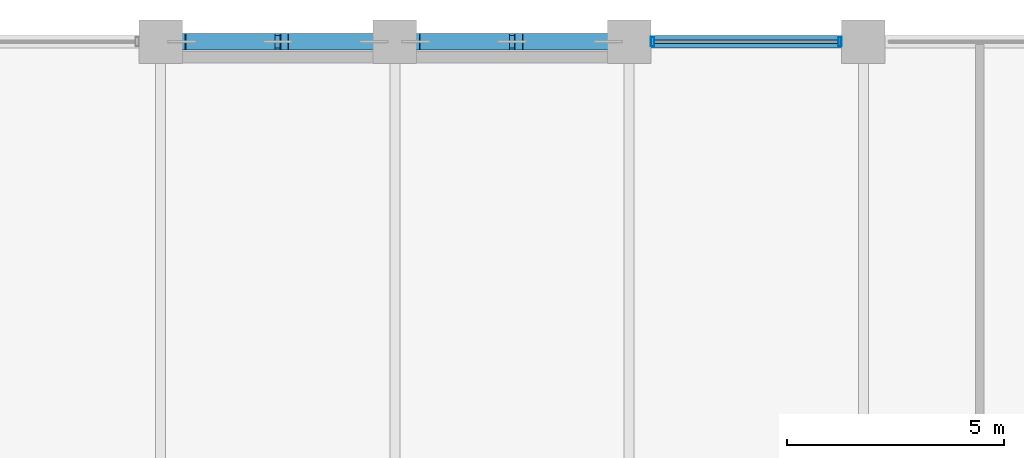
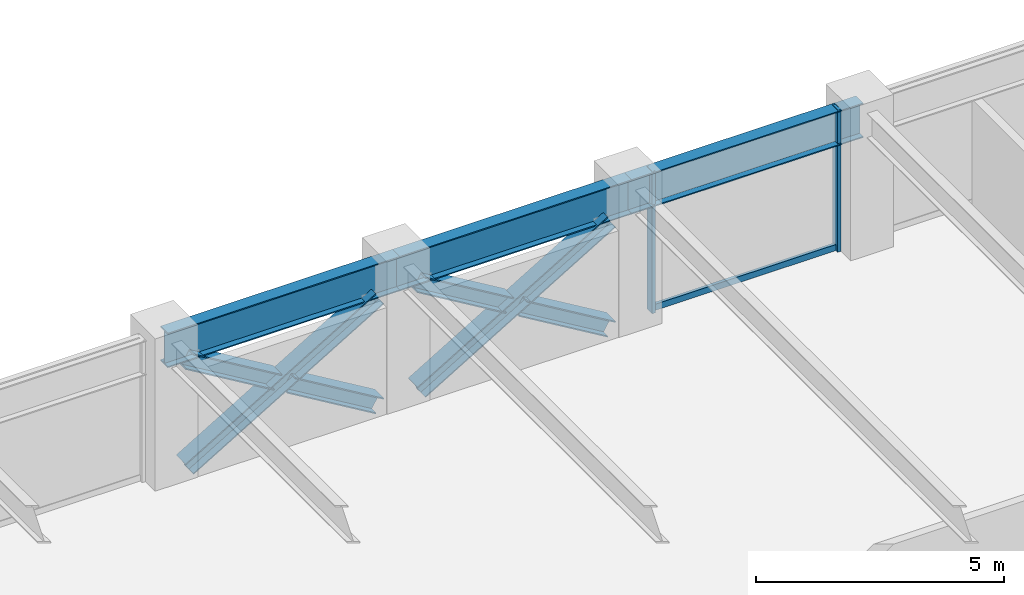
# One storey, part 18 of 29: 9 members, 3 beams, 1 element without a shape of its own.
"""IFC4 building model written with IfcOpenShell, lengths in metres."""

import ifcopenshell
import ifcopenshell.guid

model = None  # the IFC model being written
_history = None  # IfcOwnerHistory: only IFC2X3 demands one
_inside = {}  # id of a spatial element -> (the spatial element, [elements in it])
_under = {}  # id of a project, library or spatial element -> (it, [spatial elements below it])
_declared = {}  # id of a project -> (the project, [libraries it declares])
_typed = {}  # id of a type object -> (the type object, [elements of that type])
_made_of = {}  # id of a material, layer set ... -> (it, [elements and type objects made of it])


def new_model(schema):
    """Start an empty IFC model of exactly this schema.

    Asked for "IFC4X3", IfcOpenShell would pick the latest addendum, in which some entities
    have other attributes; the version numbers below select the first issue.
    IFC2X3 requires an IfcOwnerHistory on every rooted entity: one is made here for all.
    """
    global model, _history
    if schema == "IFC4X3":
        model = ifcopenshell.file(schema_version=(4, 3, 0, 0))
    else:
        model = ifcopenshell.file(schema=schema)
    _inside.clear()
    _under.clear()
    _declared.clear()
    _typed.clear()
    _made_of.clear()
    _history = None
    if model.schema == "IFC2X3":
        org = make("IfcOrganization", Name="unknown")
        user = make(
            "IfcPersonAndOrganization",
            ThePerson=make("IfcPerson", FamilyName="unknown"),
            TheOrganization=org,
        )
        app = make(
            "IfcApplication",
            ApplicationDeveloper=org,
            Version="unknown",
            ApplicationFullName="unknown",
            ApplicationIdentifier="unknown",
        )
        _history = make(
            "IfcOwnerHistory",
            OwningUser=user,
            OwningApplication=app,
            ChangeAction="ADDED",
            CreationDate=0,
        )
    return model


def make(cls, **values):
    """One entity of the class cls with the attributes given. An attribute that is None is left unset."""
    return model.create_entity(
        cls, **{name: value for name, value in values.items() if value is not None}
    )


def rooted(cls, **values):
    """An entity with a GlobalId (a new one), such as an element, a storey or a relation."""
    return make(cls, GlobalId=ifcopenshell.guid.new(), OwnerHistory=_history, **values)


def si_unit(unit_type, name, prefix=None):
    """IfcSIUnit, for example si_unit("LENGTHUNIT", "METRE", prefix="MILLI")."""
    return make("IfcSIUnit", UnitType=unit_type, Prefix=prefix, Name=name)


def assignment(units):
    """IfcUnitAssignment: the units of a project."""
    return None if units is None else make("IfcUnitAssignment", Units=units)


def point(xyz):
    """IfcCartesianPoint."""
    return None if xyz is None else make("IfcCartesianPoint", Coordinates=xyz)


def direction(xyz):
    """IfcDirection."""
    return None if xyz is None else make("IfcDirection", DirectionRatios=xyz)


def frame(location, z_axis=None, x_axis=None):
    """IfcAxis2Placement3D, a coordinate frame: its origin and axes. An axis left out is left unset."""
    return make(
        "IfcAxis2Placement3D",
        Location=point(location),
        Axis=direction(z_axis),
        RefDirection=direction(x_axis),
    )


def frame_2d(location, x_axis=None):
    """IfcAxis2Placement2D, a coordinate frame in the plane: its origin and x axis."""
    return make(
        "IfcAxis2Placement2D", Location=point(location), RefDirection=direction(x_axis)
    )


def origin():
    """The frame at (0, 0, 0) with its axes left unset."""
    return frame((0.0, 0.0, 0.0))


def origin_2d():
    """The frame at (0, 0) in the plane with its x axis left unset."""
    return frame_2d((0.0, 0.0))


def place(relative_to, where):
    """IfcLocalPlacement: puts the frame where relative to a parent placement (None: the world)."""
    return make(
        "IfcLocalPlacement", PlacementRelTo=relative_to, RelativePlacement=where
    )


def context(
    kind, dimensions, precision=None, world=None, true_north=None, identifier=None
):
    """IfcGeometricRepresentationContext, for example the 3D "Model" context."""
    return make(
        "IfcGeometricRepresentationContext",
        ContextIdentifier=identifier,
        ContextType=kind,
        CoordinateSpaceDimension=dimensions,
        Precision=precision,
        WorldCoordinateSystem=world,
        TrueNorth=true_north,
    )


def subcontext(parent, identifier, kind, view, scale=None):
    """IfcGeometricRepresentationSubContext, for example "Body" below "Model"."""
    return make(
        "IfcGeometricRepresentationSubContext",
        ContextIdentifier=identifier,
        ContextType=kind,
        ParentContext=parent,
        TargetScale=scale,
        TargetView=view,
    )


def project(units=None, contexts=None):
    """IfcProject with its units and contexts."""
    return rooted(
        "IfcProject",
        Name="project",
        RepresentationContexts=contexts,
        UnitsInContext=assignment(units),
    )


def spatial(cls, under=None, at=None, **own):
    """A site, building, storey or space (cls), placed at a placement, below another one or the project."""
    s = rooted(cls, ObjectPlacement=at, **own)
    if under is not None:
        _under.setdefault(under.id(), (under, []))[1].append(s)
    return s


def profile(cls, at=None, kind="AREA", **sizes):
    """A parametric profile (cls). Its sizes go by their IFC names, for example OverallWidth=200.0."""
    return make(cls, ProfileType=kind, Position=at, **sizes)


def hollow_rectangle(**sizes):
    """IfcRectangleHollowProfileDef."""
    return profile("IfcRectangleHollowProfileDef", **sizes)


def i_section(**sizes):
    """IfcIShapeProfileDef."""
    return profile("IfcIShapeProfileDef", **sizes)


def extrude(swept, where, along, depth):
    """IfcExtrudedAreaSolid: the profile swept, set in the frame where, extruded along a direction by depth."""
    return make(
        "IfcExtrudedAreaSolid",
        SweptArea=swept,
        Position=where,
        ExtrudedDirection=direction(along),
        Depth=depth,
    )


def shape(context_of_items, identifier, shape_type, items):
    """IfcShapeRepresentation: the items that make up one representation, for example the "Body"."""
    return make(
        "IfcShapeRepresentation",
        ContextOfItems=context_of_items,
        RepresentationIdentifier=identifier,
        RepresentationType=shape_type,
        Items=items,
    )


def material(Name=None, Category=None):
    """IfcMaterial."""
    return make("IfcMaterial", Name=Name, Category=Category)


def layer(
    of_material, thickness, ventilated=None, Name=None, Category=None, Priority=None
):
    """IfcMaterialLayer: one layer of a wall or slab, of a material (None: an air gap)."""
    return make(
        "IfcMaterialLayer",
        Material=of_material,
        LayerThickness=thickness,
        IsVentilated=ventilated,
        Name=Name,
        Category=Category,
        Priority=Priority,
    )


def layer_set(layers, Name=None):
    """IfcMaterialLayerSet."""
    return make("IfcMaterialLayerSet", MaterialLayers=layers, LayerSetName=Name)


def material_profile(
    of_material, cross_section, Name=None, Category=None, Priority=None
):
    """IfcMaterialProfile: a cross section and its material."""
    return make(
        "IfcMaterialProfile",
        Name=Name,
        Material=of_material,
        Profile=cross_section,
        Priority=Priority,
        Category=Category,
    )


def profile_set(profiles, Name=None, composite=None):
    """IfcMaterialProfileSet."""
    return make(
        "IfcMaterialProfileSet",
        Name=Name,
        MaterialProfiles=profiles,
        CompositeProfile=composite,
    )


def made_of(thing, what):
    """Note that an element or type object is made of a material, layer set ...; save() writes the relation."""
    if what is not None:
        _made_of.setdefault(what.id(), (what, []))[1].append(thing)
    return thing


def type_object(cls, material=None, **own):
    """A type object (cls), such as IfcWallType, which elements share."""
    return made_of(rooted(cls, **own), material)


def element(
    cls,
    number,
    at=None,
    inside=None,
    cuts=None,
    type_object=None,
    material=None,
    context=None,
    identifier="Body",
    shape_type=None,
    held_by="IfcProductDefinitionShape",
    body=None,
    shapes=None,
    **own,
):
    """One element of the class cls, such as IfcWall. Its Tag is "e" and its number.

    at: its placement. inside: the storey or other place that contains it. cuts: it is an
    opening in that element (IfcRelVoidsElement). A single representation is given by context,
    identifier, shape_type and body (its items); several are given by shapes. held_by: the class
    of the entity that holds the representations. save() writes the other relations.
    """
    e = rooted(cls, Tag="e%d" % number, ObjectPlacement=at, **own)
    if body is not None:
        shapes = [shape(context, identifier, shape_type, body)]
    if shapes is not None:
        e.Representation = make(held_by, Representations=shapes)
    if inside is not None:
        _inside.setdefault(inside.id(), (inside, []))[1].append(e)
    if cuts is not None:
        rooted(
            "IfcRelVoidsElement", RelatingBuildingElement=cuts, RelatedOpeningElement=e
        )
    if type_object is not None:
        _typed.setdefault(type_object.id(), (type_object, []))[1].append(e)
    return made_of(e, material)


def aggregate(whole, parts):
    """IfcRelAggregates: a whole, such as a stair, and the parts it consists of."""
    return rooted("IfcRelAggregates", RelatingObject=whole, RelatedObjects=parts)


def save(model, path):
    """Write the relations noted so far, then the file.

    IfcRelAggregates (storeys below a building ...), IfcRelContainedInSpatialStructure (elements
    in a storey), IfcRelDefinesByType, IfcRelAssociatesMaterial and IfcRelDeclares: one each for
    every whole, place, type object, material and project.
    """
    for whole, parts in _under.values():
        aggregate(whole, parts)
    for where, things in _inside.values():
        rooted(
            "IfcRelContainedInSpatialStructure",
            RelatedElements=things,
            RelatingStructure=where,
        )
    for kind, things in _typed.values():
        rooted("IfcRelDefinesByType", RelatedObjects=things, RelatingType=kind)
    for what, things in _made_of.values():
        rooted("IfcRelAssociatesMaterial", RelatedObjects=things, RelatingMaterial=what)
    for by, libraries in _declared.values():
        rooted("IfcRelDeclares", RelatingContext=by, RelatedDefinitions=libraries)
    model.write(path)


model = new_model("IFC4")

# Units and contexts
model_context = context("Model", 3, precision=1e-05, world=origin(), true_north=direction((0.0, 1.0)))
body_context = subcontext(model_context, "Body", "Model", "MODEL_VIEW")
ifc_project = project(units=[si_unit("LENGTHUNIT", "METRE"), si_unit("AREAUNIT", "SQUARE_METRE"), si_unit("VOLUMEUNIT", "CUBIC_METRE"), si_unit("PLANEANGLEUNIT", "RADIAN"), si_unit("MASSUNIT", "GRAM", prefix="KILO")], contexts=[model_context])

# Site, building, storey
site_placement = place(None, origin())
site = spatial("IfcSite", under=ifc_project, at=site_placement, CompositionType="ELEMENT")
building_placement = place(site_placement, origin())
building = spatial("IfcBuilding", under=site, at=building_placement, Name="Surkhivell Harbour Commons", CompositionType="ELEMENT")
storey_placement = place(building_placement, frame((0.0, 0.0, 158.25)))
storey = spatial("IfcBuildingStorey", under=building, at=storey_placement, Name="L41", CompositionType="ELEMENT", Elevation=158.25)

# Beams
ifc_material_1 = material(Name="Steel S460", Category="steel")
ifc_material_profile_1 = material_profile(ifc_material_1, i_section(OverallWidth=0.2939453125, OverallDepth=0.85107421875, WebThickness=0.01611328125, FlangeThickness=0.02685546875, at=origin_2d()), Name="UB838x292x226")
ifc_profile_set_1 = profile_set([ifc_material_profile_1], Name="Steel S460")
beam_type = type_object("IfcBeamType", Name="BM-SPN-838", PredefinedType="SPANDREL", material=ifc_profile_set_1)
for number, where, z_axis, x_axis, name in (
    (1, (-5.39990234375, 25.89990234375, 3.074462890625), (1.0, 0.0, 0.0), (0.0, 1.0, 0.0), "L41 Tube Spandrel (-5.4,25.9)"),
    (2, (0.0, 25.89990234375, 3.074462890625), (1.0, 0.0, 0.0), (0.0, 1.0, 0.0), "L41 Tube Spandrel (-0.0,25.9)"),
):
    element("IfcBeam", number, at=place(storey_placement, frame(where, z_axis=z_axis, x_axis=x_axis)), inside=storey, type_object=beam_type, Name=name, PredefinedType="SPANDREL", context=body_context, shape_type="SweptSolid", body=[
        extrude(i_section(OverallWidth=0.2939453125, OverallDepth=0.85107421875, WebThickness=0.01611328125, FlangeThickness=0.02685546875, at=origin_2d()), origin(), (0.0, 0.0, 1.0), 5.39990234375),
    ])
beam_placement = place(storey_placement, frame((5.39990234375, 25.89990234375, 3.074462890625), z_axis=(1.0, 0.0, 0.0), x_axis=(0.0, 1.0, 0.0)))
element("IfcBeam", 3, at=beam_placement, inside=storey, type_object=beam_type, Name="L41 Tube Spandrel (5.4,25.9)", PredefinedType="SPANDREL", context=body_context, shape_type="SweptSolid", body=[
    extrude(i_section(OverallWidth=0.2939453125, OverallDepth=0.85107421875, WebThickness=0.01611328125, FlangeThickness=0.02685546875, at=origin_2d()), origin(), (0.0, 0.0, 1.0), 5.400146484375),
])

# Curtain wall, members
ifc_material_2 = material(Name="Anodised pale-metal aluminium and insulated glazing", Category="aluminium")
ifc_layer = layer(ifc_material_2, 0.205078125)
ifc_layer_set = layer_set([ifc_layer], Name="Anodised pale-metal aluminium and insulated glazing")
curtain_wall_type = type_object("IfcCurtainWallType", Name="CW-SYS-Z2", PredefinedType="NOTDEFINED", material=ifc_layer_set)
curtain_wall_placement = place(storey_placement, origin())
curtain_wall = element("IfcCurtainWall", 4, at=curtain_wall_placement, inside=storey, type_object=curtain_wall_type, Name="L41 Curtain Wall CW-L41-E07S1", PredefinedType="NOTDEFINED")
ifc_material_3 = material(Name="Anodised pale-metal aluminium alloy 6063-T6", Category="aluminium")
ifc_material_profile_2 = material_profile(ifc_material_3, hollow_rectangle(XDim=0.074951171875, YDim=0.219970703125, WallThickness=0.00390625, at=origin_2d()), Name="ALU-MULL-75x220")
ifc_profile_set_2 = profile_set([ifc_material_profile_2], Name="Anodised pale-metal aluminium alloy 6063-T6")
member_type_1 = type_object("IfcMemberType", Name="CWM-220", PredefinedType="MULLION", material=ifc_profile_set_2)
member_1_placement = place(storey_placement, frame((10.260498046875, 25.89990234375, 0.0), z_axis=(0.0, 0.0, 1.0), x_axis=(-1.0, 0.0, 0.0)))
member_1 = element("IfcMember", 5, at=member_1_placement, type_object=member_type_1, Name="CW-Z2 mullion 2", PredefinedType="MULLION", context=body_context, shape_type="SweptSolid", body=[
    extrude(hollow_rectangle(XDim=0.074951171875, YDim=0.219970703125, WallThickness=0.00390625, at=origin_2d()), origin(), (0.0, 0.0, 1.0), 3.5),
])
member_2_placement = place(storey_placement, frame((5.939453125, 25.89990234375, 0.0), z_axis=(0.0, 0.0, 1.0), x_axis=(-1.0, 0.0, 0.0)))
member_2 = element("IfcMember", 6, at=member_2_placement, type_object=member_type_1, Name="CW-Z2 mullion 3", PredefinedType="MULLION", context=body_context, shape_type="SweptSolid", body=[
    extrude(hollow_rectangle(XDim=0.074951171875, YDim=0.219970703125, WallThickness=0.00390625, at=origin_2d()), origin(), (0.0, 0.0, 1.0), 3.5),
])
ifc_material_profile_3 = material_profile(ifc_material_3, hollow_rectangle(XDim=0.074951171875, YDim=0.14990234375, WallThickness=0.00341796875, at=origin_2d()), Name="ALU-TRAN-75x150")
ifc_profile_set_3 = profile_set([ifc_material_profile_3], Name="Anodised pale-metal aluminium alloy 6063-T6")
member_type_2 = type_object("IfcMemberType", Name="CWT-150", PredefinedType="USERDEFINED", material=ifc_profile_set_3)
member_3_placement = place(storey_placement, frame((10.222900390625, 25.89990234375, 0.074951171875), z_axis=(-1.0, 0.0, 0.0), x_axis=(0.0, -1.0, 0.0)))
member_3 = element("IfcMember", 7, at=member_3_placement, type_object=member_type_2, Name="CW-Z2 transom 2.1", ObjectType="TRANSOM", PredefinedType="USERDEFINED", context=body_context, shape_type="SweptSolid", body=[
    extrude(hollow_rectangle(XDim=0.074951171875, YDim=0.14990234375, WallThickness=0.00341796875, at=origin_2d()), origin(), (0.0, 0.0, 1.0), 4.245849609375),
])
aggregate(curtain_wall, [member_1, member_2, member_3])

# Members
ifc_material_profile_4 = material_profile(ifc_material_1, i_section(OverallWidth=0.375, OverallDepth=0.375, WebThickness=0.0166015625, FlangeThickness=0.027099609375, at=origin_2d()), Name="UC356x368x202")
ifc_profile_set_4 = profile_set([ifc_material_profile_4], Name="Steel S460")
member_type_3 = type_object("IfcMemberType", Name="MEM-BRC-UC356", PredefinedType="BRACE", material=ifc_profile_set_4)
member_4_placement = place(storey_placement, frame((-4.9150390625, 25.89990234375, 0.008056640625), z_axis=(0.858597364881, 0.0, 0.512650529133), x_axis=(0.0, 1.0, 0.0)))
element("IfcMember", 8, at=member_4_placement, inside=storey, type_object=member_type_3, Name="L41 Perimeter Mega-Brace MB- 01", PredefinedType="BRACE", context=body_context, shape_type="SweptSolid", body=[
    extrude(i_section(OverallWidth=0.375, OverallDepth=0.375, WebThickness=0.0166015625, FlangeThickness=0.027099609375, at=origin_2d()), origin(), (0.0, 0.0, 1.0), 5.159423828125),
])
member_5_placement = place(storey_placement, frame((-0.485107421875, 25.89990234375, 0.008056640625), z_axis=(-0.85858618706, 0.0, 0.512669249507), x_axis=(0.0, -1.0, 0.0)))
element("IfcMember", 9, at=member_5_placement, inside=storey, type_object=member_type_3, Name="L41 Perimeter Mega-Brace MB- 02", PredefinedType="BRACE", context=body_context, shape_type="SweptSolid", body=[
    extrude(i_section(OverallWidth=0.375, OverallDepth=0.375, WebThickness=0.0166015625, FlangeThickness=0.027099609375, at=origin_2d()), origin(), (0.0, 0.0, 1.0), 2.399658203125),
])
member_6_placement = place(storey_placement, frame((-2.8544921875, 25.89990234375, 1.4228515625), z_axis=(-0.858612923928, 0.0, 0.51262446963), x_axis=(0.0, -1.0, 0.0)))
element("IfcMember", 10, at=member_6_placement, inside=storey, type_object=member_type_3, Name="L41 Perimeter Mega-Brace MB- 03", PredefinedType="BRACE", context=body_context, shape_type="SweptSolid", body=[
    extrude(i_section(OverallWidth=0.375, OverallDepth=0.375, WebThickness=0.0166015625, FlangeThickness=0.027099609375, at=origin_2d()), origin(), (0.0, 0.0, 1.0), 2.39990234375),
])
member_7_placement = place(storey_placement, frame((0.485107421875, 25.89990234375, 0.008056640625), z_axis=(0.858597364881, 0.0, 0.512650529133), x_axis=(0.0, 1.0, 0.0)))
element("IfcMember", 11, at=member_7_placement, inside=storey, type_object=member_type_3, Name="L41 Perimeter Mega-Brace MB- 04", PredefinedType="BRACE", context=body_context, shape_type="SweptSolid", body=[
    extrude(i_section(OverallWidth=0.375, OverallDepth=0.375, WebThickness=0.0166015625, FlangeThickness=0.027099609375, at=origin_2d()), origin(), (0.0, 0.0, 1.0), 5.159423828125),
])
member_8_placement = place(storey_placement, frame((4.9150390625, 25.89990234375, 0.008056640625), z_axis=(-0.858612923928, 0.0, 0.51262446963), x_axis=(0.0, -1.0, 0.0)))
element("IfcMember", 12, at=member_8_placement, inside=storey, type_object=member_type_3, Name="L41 Perimeter Mega-Brace MB- 05", PredefinedType="BRACE", context=body_context, shape_type="SweptSolid", body=[
    extrude(i_section(OverallWidth=0.375, OverallDepth=0.375, WebThickness=0.0166015625, FlangeThickness=0.027099609375, at=origin_2d()), origin(), (0.0, 0.0, 1.0), 2.39990234375),
])
member_9_placement = place(storey_placement, frame((2.54541015625, 25.89990234375, 1.4228515625), z_axis=(-0.85858618706, 0.0, 0.512669249507), x_axis=(0.0, -1.0, 0.0)))
element("IfcMember", 13, at=member_9_placement, inside=storey, type_object=member_type_3, Name="L41 Perimeter Mega-Brace MB- 06", PredefinedType="BRACE", context=body_context, shape_type="SweptSolid", body=[
    extrude(i_section(OverallWidth=0.375, OverallDepth=0.375, WebThickness=0.0166015625, FlangeThickness=0.027099609375, at=origin_2d()), origin(), (0.0, 0.0, 1.0), 2.399658203125),
])

save(model, "model.ifc")
